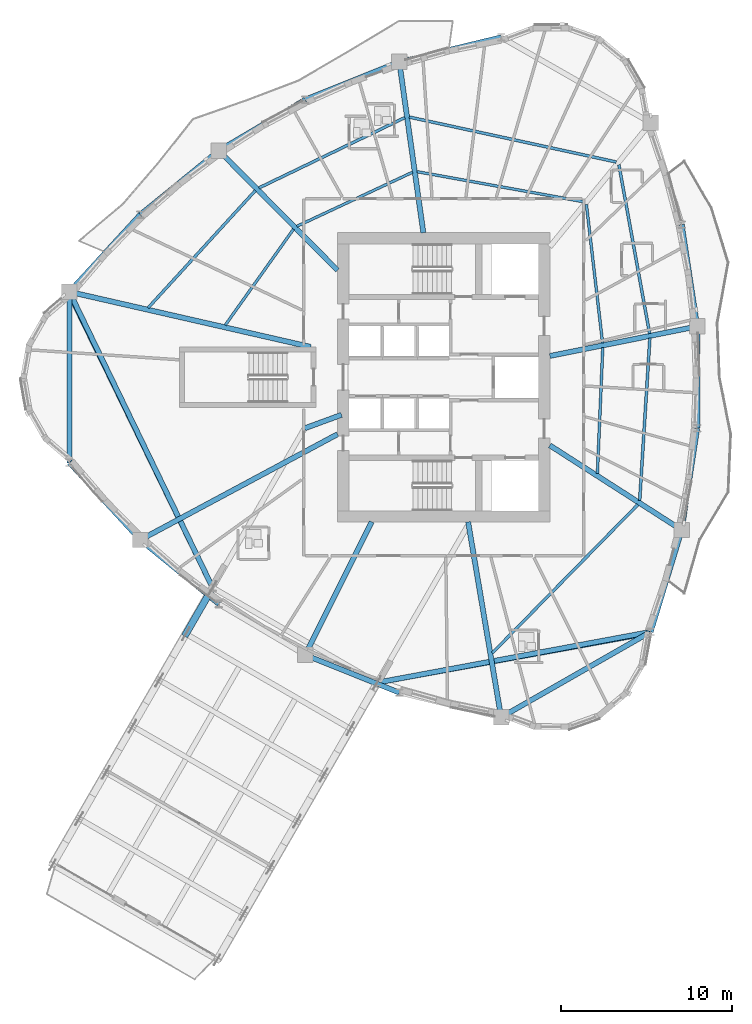
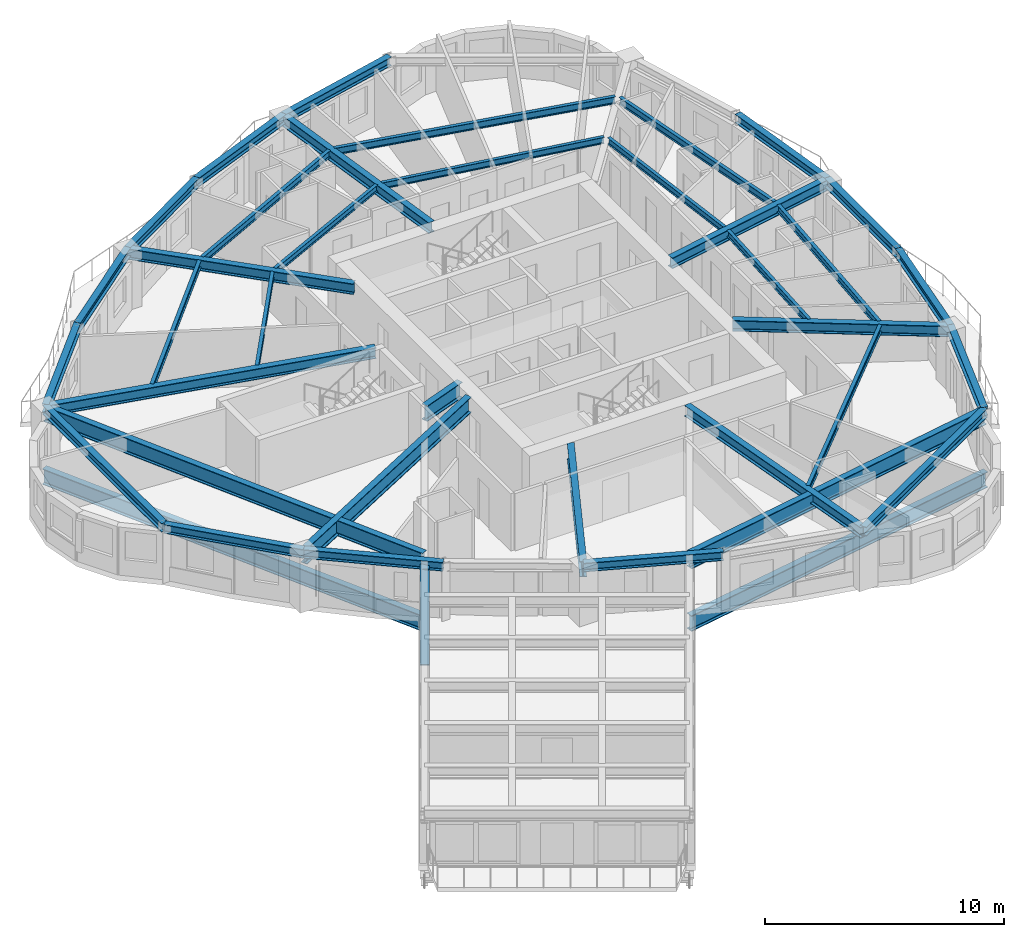
# One storey, part 3 of 17: 38 beams, 1 member.
"""IFC4 building model written with IfcOpenShell, lengths in metres."""

import ifcopenshell
import ifcopenshell.guid

model = None  # the IFC model being written
_history = None  # IfcOwnerHistory: only IFC2X3 demands one
_inside = {}  # id of a spatial element -> (the spatial element, [elements in it])
_under = {}  # id of a project, library or spatial element -> (it, [spatial elements below it])
_declared = {}  # id of a project -> (the project, [libraries it declares])
_typed = {}  # id of a type object -> (the type object, [elements of that type])
_made_of = {}  # id of a material, layer set ... -> (it, [elements and type objects made of it])


def new_model(schema):
    """Start an empty IFC model of exactly this schema.

    Asked for "IFC4X3", IfcOpenShell would pick the latest addendum, in which some entities
    have other attributes; the version numbers below select the first issue.
    IFC2X3 requires an IfcOwnerHistory on every rooted entity: one is made here for all.
    """
    global model, _history
    if schema == "IFC4X3":
        model = ifcopenshell.file(schema_version=(4, 3, 0, 0))
    else:
        model = ifcopenshell.file(schema=schema)
    _inside.clear()
    _under.clear()
    _declared.clear()
    _typed.clear()
    _made_of.clear()
    _history = None
    if model.schema == "IFC2X3":
        org = make("IfcOrganization", Name="unknown")
        user = make(
            "IfcPersonAndOrganization",
            ThePerson=make("IfcPerson", FamilyName="unknown"),
            TheOrganization=org,
        )
        app = make(
            "IfcApplication",
            ApplicationDeveloper=org,
            Version="unknown",
            ApplicationFullName="unknown",
            ApplicationIdentifier="unknown",
        )
        _history = make(
            "IfcOwnerHistory",
            OwningUser=user,
            OwningApplication=app,
            ChangeAction="ADDED",
            CreationDate=0,
        )
    return model


def make(cls, **values):
    """One entity of the class cls with the attributes given. An attribute that is None is left unset."""
    return model.create_entity(
        cls, **{name: value for name, value in values.items() if value is not None}
    )


def rooted(cls, **values):
    """An entity with a GlobalId (a new one), such as an element, a storey or a relation."""
    return make(cls, GlobalId=ifcopenshell.guid.new(), OwnerHistory=_history, **values)


def si_unit(unit_type, name, prefix=None):
    """IfcSIUnit, for example si_unit("LENGTHUNIT", "METRE", prefix="MILLI")."""
    return make("IfcSIUnit", UnitType=unit_type, Prefix=prefix, Name=name)


def assignment(units):
    """IfcUnitAssignment: the units of a project."""
    return None if units is None else make("IfcUnitAssignment", Units=units)


def point(xyz):
    """IfcCartesianPoint."""
    return None if xyz is None else make("IfcCartesianPoint", Coordinates=xyz)


def direction(xyz):
    """IfcDirection."""
    return None if xyz is None else make("IfcDirection", DirectionRatios=xyz)


def frame(location, z_axis=None, x_axis=None):
    """IfcAxis2Placement3D, a coordinate frame: its origin and axes. An axis left out is left unset."""
    return make(
        "IfcAxis2Placement3D",
        Location=point(location),
        Axis=direction(z_axis),
        RefDirection=direction(x_axis),
    )


def frame_2d(location, x_axis=None):
    """IfcAxis2Placement2D, a coordinate frame in the plane: its origin and x axis."""
    return make(
        "IfcAxis2Placement2D", Location=point(location), RefDirection=direction(x_axis)
    )


def origin():
    """The frame at (0, 0, 0) with its axes left unset."""
    return frame((0.0, 0.0, 0.0))


def origin_2d():
    """The frame at (0, 0) in the plane with its x axis left unset."""
    return frame_2d((0.0, 0.0))


def place(relative_to, where):
    """IfcLocalPlacement: puts the frame where relative to a parent placement (None: the world)."""
    return make(
        "IfcLocalPlacement", PlacementRelTo=relative_to, RelativePlacement=where
    )


def context(
    kind, dimensions, precision=None, world=None, true_north=None, identifier=None
):
    """IfcGeometricRepresentationContext, for example the 3D "Model" context."""
    return make(
        "IfcGeometricRepresentationContext",
        ContextIdentifier=identifier,
        ContextType=kind,
        CoordinateSpaceDimension=dimensions,
        Precision=precision,
        WorldCoordinateSystem=world,
        TrueNorth=true_north,
    )


def subcontext(parent, identifier, kind, view, scale=None):
    """IfcGeometricRepresentationSubContext, for example "Body" below "Model"."""
    return make(
        "IfcGeometricRepresentationSubContext",
        ContextIdentifier=identifier,
        ContextType=kind,
        ParentContext=parent,
        TargetScale=scale,
        TargetView=view,
    )


def project(units=None, contexts=None):
    """IfcProject with its units and contexts."""
    return rooted(
        "IfcProject",
        Name="project",
        RepresentationContexts=contexts,
        UnitsInContext=assignment(units),
    )


def spatial(cls, under=None, at=None, **own):
    """A site, building, storey or space (cls), placed at a placement, below another one or the project."""
    s = rooted(cls, ObjectPlacement=at, **own)
    if under is not None:
        _under.setdefault(under.id(), (under, []))[1].append(s)
    return s


def profile(cls, at=None, kind="AREA", **sizes):
    """A parametric profile (cls). Its sizes go by their IFC names, for example OverallWidth=200.0."""
    return make(cls, ProfileType=kind, Position=at, **sizes)


def i_section(**sizes):
    """IfcIShapeProfileDef."""
    return profile("IfcIShapeProfileDef", **sizes)


def extrude(swept, where, along, depth):
    """IfcExtrudedAreaSolid: the profile swept, set in the frame where, extruded along a direction by depth."""
    return make(
        "IfcExtrudedAreaSolid",
        SweptArea=swept,
        Position=where,
        ExtrudedDirection=direction(along),
        Depth=depth,
    )


def shape(context_of_items, identifier, shape_type, items):
    """IfcShapeRepresentation: the items that make up one representation, for example the "Body"."""
    return make(
        "IfcShapeRepresentation",
        ContextOfItems=context_of_items,
        RepresentationIdentifier=identifier,
        RepresentationType=shape_type,
        Items=items,
    )


def source(mapping_origin, context_of_items, identifier, shape_type, items):
    """IfcRepresentationMap: a shape defined once, which mapped items show again and again."""
    return make(
        "IfcRepresentationMap",
        MappingOrigin=mapping_origin,
        MappedRepresentation=shape(context_of_items, identifier, shape_type, items),
    )


def transform(
    local_origin,
    x_axis=None,
    y_axis=None,
    z_axis=None,
    scale=None,
    scale2=None,
    scale3=None,
    uniform=True,
):
    """IfcCartesianTransformationOperator3D, or its non-uniform kind. x_axis, y_axis, z_axis: its Axis1, 2, 3."""
    if uniform:
        return make(
            "IfcCartesianTransformationOperator3D",
            Axis1=direction(x_axis),
            Axis2=direction(y_axis),
            LocalOrigin=point(local_origin),
            Scale=scale,
            Axis3=direction(z_axis),
        )
    return make(
        "IfcCartesianTransformationOperator3DnonUniform",
        Axis1=direction(x_axis),
        Axis2=direction(y_axis),
        LocalOrigin=point(local_origin),
        Scale=scale,
        Axis3=direction(z_axis),
        Scale2=scale2,
        Scale3=scale3,
    )


def mapped(mapping_source, mapping_target):
    """IfcMappedItem: shows the shape of a source again, moved by a transform."""
    return make(
        "IfcMappedItem", MappingSource=mapping_source, MappingTarget=mapping_target
    )


def material(Name=None, Category=None):
    """IfcMaterial."""
    return make("IfcMaterial", Name=Name, Category=Category)


def material_profile(
    of_material, cross_section, Name=None, Category=None, Priority=None
):
    """IfcMaterialProfile: a cross section and its material."""
    return make(
        "IfcMaterialProfile",
        Name=Name,
        Material=of_material,
        Profile=cross_section,
        Priority=Priority,
        Category=Category,
    )


def profile_set(profiles, Name=None, composite=None):
    """IfcMaterialProfileSet."""
    return make(
        "IfcMaterialProfileSet",
        Name=Name,
        MaterialProfiles=profiles,
        CompositeProfile=composite,
    )


def made_of(thing, what):
    """Note that an element or type object is made of a material, layer set ...; save() writes the relation."""
    if what is not None:
        _made_of.setdefault(what.id(), (what, []))[1].append(thing)
    return thing


def type_object(cls, material=None, **own):
    """A type object (cls), such as IfcWallType, which elements share."""
    return made_of(rooted(cls, **own), material)


def element(
    cls,
    number,
    at=None,
    inside=None,
    cuts=None,
    type_object=None,
    material=None,
    context=None,
    identifier="Body",
    shape_type=None,
    held_by="IfcProductDefinitionShape",
    body=None,
    shapes=None,
    **own,
):
    """One element of the class cls, such as IfcWall. Its Tag is "e" and its number.

    at: its placement. inside: the storey or other place that contains it. cuts: it is an
    opening in that element (IfcRelVoidsElement). A single representation is given by context,
    identifier, shape_type and body (its items); several are given by shapes. held_by: the class
    of the entity that holds the representations. save() writes the other relations.
    """
    e = rooted(cls, Tag="e%d" % number, ObjectPlacement=at, **own)
    if body is not None:
        shapes = [shape(context, identifier, shape_type, body)]
    if shapes is not None:
        e.Representation = make(held_by, Representations=shapes)
    if inside is not None:
        _inside.setdefault(inside.id(), (inside, []))[1].append(e)
    if cuts is not None:
        rooted(
            "IfcRelVoidsElement", RelatingBuildingElement=cuts, RelatedOpeningElement=e
        )
    if type_object is not None:
        _typed.setdefault(type_object.id(), (type_object, []))[1].append(e)
    return made_of(e, material)


def aggregate(whole, parts):
    """IfcRelAggregates: a whole, such as a stair, and the parts it consists of."""
    return rooted("IfcRelAggregates", RelatingObject=whole, RelatedObjects=parts)


def save(model, path):
    """Write the relations noted so far, then the file.

    IfcRelAggregates (storeys below a building ...), IfcRelContainedInSpatialStructure (elements
    in a storey), IfcRelDefinesByType, IfcRelAssociatesMaterial and IfcRelDeclares: one each for
    every whole, place, type object, material and project.
    """
    for whole, parts in _under.values():
        aggregate(whole, parts)
    for where, things in _inside.values():
        rooted(
            "IfcRelContainedInSpatialStructure",
            RelatedElements=things,
            RelatingStructure=where,
        )
    for kind, things in _typed.values():
        rooted("IfcRelDefinesByType", RelatedObjects=things, RelatingType=kind)
    for what, things in _made_of.values():
        rooted("IfcRelAssociatesMaterial", RelatedObjects=things, RelatingMaterial=what)
    for by, libraries in _declared.values():
        rooted("IfcRelDeclares", RelatingContext=by, RelatedDefinitions=libraries)
    model.write(path)


model = new_model("IFC4")

# Units and contexts
model_context = context("Model", 3, precision=1e-05, world=origin(), true_north=direction((0.0, 1.0)))
body_context = subcontext(model_context, "Body", "Model", "MODEL_VIEW")
ifc_project = project(units=[si_unit("LENGTHUNIT", "METRE"), si_unit("AREAUNIT", "SQUARE_METRE"), si_unit("VOLUMEUNIT", "CUBIC_METRE"), si_unit("PLANEANGLEUNIT", "RADIAN"), si_unit("MASSUNIT", "GRAM", prefix="KILO")], contexts=[model_context])

# Site, building, storey
site_placement = place(None, origin())
site = spatial("IfcSite", under=ifc_project, at=site_placement, CompositionType="ELEMENT")
building_placement = place(site_placement, origin())
building = spatial("IfcBuilding", under=site, at=building_placement, Name="Qafzar Sky-Pleat Residences", CompositionType="ELEMENT")
storey_placement = place(building_placement, frame((0.0, 0.0, 108.800048828125)))
storey = spatial("IfcBuildingStorey", under=building, at=storey_placement, Name="L32", CompositionType="ELEMENT", Elevation=108.800048828125)

# Beams
ifc_material_1 = material(Name="Steel S355", Category="steel")
ifc_material_profile_1 = material_profile(ifc_material_1, i_section(OverallWidth=0.300048828125, OverallDepth=0.449951171875, WebThickness=0.013916015625, FlangeThickness=0.02587890625, FilletRadius=0.027099609375, at=origin_2d()), Name="HEB 450")
ifc_profile_set_1 = profile_set([ifc_material_profile_1], Name="Steel S355")
beam_type_1 = type_object("IfcBeamType", Name="BM-SPAN-HEB450", PredefinedType="SPANDREL", material=ifc_profile_set_1)
shared_shape_1 = source(origin(), body_context, "Body", "SweptSolid", [
    extrude(i_section(OverallWidth=0.300048828125, OverallDepth=0.449951171875, WebThickness=0.013916015625, FlangeThickness=0.02587890625, FilletRadius=0.027099609375, at=origin_2d()), origin(), (0.0, 0.0, 1.0), 10.072021484375),
])
beam_1_placement = place(storey_placement, frame((33.704345703125, 6.12841796875, 2.7080078125), z_axis=(0.868302801994, 0.496034519011, 0.0), x_axis=(-0.496034519011, 0.868302801994, 0.0)))
element("IfcBeam", 1, at=beam_1_placement, inside=storey, type_object=beam_type_1, Name="L32 Perimeter Spandrel Beam 7", PredefinedType="SPANDREL", context=body_context, shape_type="MappedRepresentation", body=[
    mapped(shared_shape_1, transform((0.0, 0.0, 0.0), x_axis=(1.0, 0.0, 0.0), y_axis=(0.0, 1.0, 0.0), z_axis=(0.0, 0.0, 1.0), scale=1.0)),
])
shared_shape_2 = source(origin(), body_context, "Body", "SweptSolid", [
    extrude(i_section(OverallWidth=0.300048828125, OverallDepth=0.449951171875, WebThickness=0.013916015625, FlangeThickness=0.02587890625, FilletRadius=0.027099609375, at=origin_2d()), origin(), (0.0, 0.0, 1.0), 9.99267578125),
])
beam_2_placement = place(storey_placement, frame((8.47412109375, 30.996337890625, 2.7080078125), z_axis=(0.0, -1.0, 0.0), x_axis=(1.0, 0.0, 0.0)))
element("IfcBeam", 2, at=beam_2_placement, inside=storey, type_object=beam_type_1, Name="L32 Perimeter Spandrel Beam 1", PredefinedType="SPANDREL", context=body_context, shape_type="MappedRepresentation", body=[
    mapped(shared_shape_2, transform((0.0, 0.0, 0.0), x_axis=(1.0, 0.0, 0.0), y_axis=(0.0, 1.0, 0.0), z_axis=(0.0, 0.0, 1.0), scale=1.0)),
])
shared_shape_3 = source(origin(), body_context, "Body", "SweptSolid", [
    extrude(i_section(OverallWidth=0.300048828125, OverallDepth=0.449951171875, WebThickness=0.013916015625, FlangeThickness=0.02587890625, FilletRadius=0.027099609375, at=origin_2d()), origin(), (0.0, 0.0, 1.0), 6.12255859375),
])
for number, where, z_axis, x_axis, name in (
    (3, (8.47412109375, 21.003662109375, 2.7080078125), (0.676462829948, -0.736476774718, 0.0), (0.736476774718, 0.676462829948, 0.0), "L32 Perimeter Spandrel Beam 2"),
    (4, (12.61572265625, 35.50537109375, 2.7080078125), (-0.676462829948, -0.736476774718, 0.0), (0.736476774718, -0.676462829948, 0.0), "L32 Perimeter Spandrel Beam 18"),
):
    element("IfcBeam", number, at=place(storey_placement, frame(where, z_axis=z_axis, x_axis=x_axis)), inside=storey, type_object=beam_type_1, Name=name, PredefinedType="SPANDREL", context=body_context, shape_type="MappedRepresentation", body=[
        mapped(shared_shape_3, transform((0.0, 0.0, 0.0), x_axis=(1.0, 0.0, 0.0), y_axis=(0.0, 1.0, 0.0), z_axis=(0.0, 0.0, 1.0), scale=1.0)),
    ])
shared_shape_4 = source(origin(), body_context, "Body", "SweptSolid", [
    extrude(i_section(OverallWidth=0.300048828125, OverallDepth=0.449951171875, WebThickness=0.013916015625, FlangeThickness=0.02587890625, FilletRadius=0.027099609375, at=origin_2d()), origin(), (0.0, 0.0, 1.0), 5.9248046875),
])
for number, where, z_axis, x_axis, name in (
    (5, (12.61572265625, 16.49462890625, 2.7080078125), (0.775326900383, -0.631560129792, 0.0), (0.631560129792, 0.775326900383, 0.0), "L32 Perimeter Spandrel Beam 3"),
    (6, (17.20947265625, 39.247314453125, 2.7080078125), (-0.775326900383, -0.631560129792, 0.0), (0.631560129792, -0.775326900383, 0.0), "L32 Perimeter Spandrel Beam 17"),
):
    element("IfcBeam", number, at=place(storey_placement, frame(where, z_axis=z_axis, x_axis=x_axis)), inside=storey, type_object=beam_type_1, Name=name, PredefinedType="SPANDREL", context=body_context, shape_type="MappedRepresentation", body=[
        mapped(shared_shape_4, transform((0.0, 0.0, 0.0), x_axis=(1.0, 0.0, 0.0), y_axis=(0.0, 1.0, 0.0), z_axis=(0.0, 0.0, 1.0), scale=1.0)),
    ])
shared_shape_5 = source(origin(), body_context, "Body", "SweptSolid", [
    extrude(i_section(OverallWidth=0.300048828125, OverallDepth=0.449951171875, WebThickness=0.013916015625, FlangeThickness=0.02587890625, FilletRadius=0.027099609375, at=origin_2d()), origin(), (0.0, 0.0, 1.0), 5.85791015625),
])
beam_3_placement = place(storey_placement, frame((22.255615234375, 42.222412109375, 2.7080078125), z_axis=(-0.861428087591, -0.507879562406, 0.0), x_axis=(0.507879562406, -0.861428087591, 0.0)))
element("IfcBeam", 7, at=beam_3_placement, inside=storey, type_object=beam_type_1, Name="L32 Perimeter Spandrel Beam 16", PredefinedType="SPANDREL", context=body_context, shape_type="MappedRepresentation", body=[
    mapped(shared_shape_5, transform((0.0, 0.0, 0.0), x_axis=(1.0, 0.0, 0.0), y_axis=(0.0, 1.0, 0.0), z_axis=(0.0, 0.0, 1.0), scale=1.0)),
])
shared_shape_6 = source(origin(), body_context, "Body", "SweptSolid", [
    extrude(i_section(OverallWidth=0.300048828125, OverallDepth=0.449951171875, WebThickness=0.013916015625, FlangeThickness=0.02587890625, FilletRadius=0.027099609375, at=origin_2d()), origin(), (0.0, 0.0, 1.0), 5.925048828125),
])
for number, where, z_axis, x_axis, name in (
    (8, (22.255615234375, 9.777587890625, 2.7080078125), (0.927955757549, -0.372690370189, 0.0), (0.372690370189, 0.927955757549, 0.0), "L32 Perimeter Spandrel Beam 5"),
    (9, (27.75390625, 44.4306640625, 2.7080078125), (-0.927955757549, -0.372690370189, 0.0), (0.372690370189, -0.927955757549, 0.0), "L32 Perimeter Spandrel Beam 15"),
):
    element("IfcBeam", number, at=place(storey_placement, frame(where, z_axis=z_axis, x_axis=x_axis)), inside=storey, type_object=beam_type_1, Name=name, PredefinedType="SPANDREL", context=body_context, shape_type="MappedRepresentation", body=[
        mapped(shared_shape_6, transform((0.0, 0.0, 0.0), x_axis=(1.0, 0.0, 0.0), y_axis=(0.0, 1.0, 0.0), z_axis=(0.0, 0.0, 1.0), scale=1.0)),
    ])
shared_shape_7 = source(origin(), body_context, "Body", "SweptSolid", [
    extrude(i_section(OverallWidth=0.300048828125, OverallDepth=0.449951171875, WebThickness=0.013916015625, FlangeThickness=0.02587890625, FilletRadius=0.027099609375, at=origin_2d()), origin(), (0.0, 0.0, 1.0), 6.122314453125),
])
beam_4_placement = place(storey_placement, frame((33.704345703125, 45.87158203125, 2.7080078125), z_axis=(-0.971910390101, -0.235351213325, 0.0), x_axis=(0.235351213325, -0.971910390101, 0.0)))
element("IfcBeam", 10, at=beam_4_placement, inside=storey, type_object=beam_type_1, Name="L32 Perimeter Spandrel Beam 14", PredefinedType="SPANDREL", context=body_context, shape_type="MappedRepresentation", body=[
    mapped(shared_shape_7, transform((0.0, 0.0, 0.0), x_axis=(1.0, 0.0, 0.0), y_axis=(0.0, 1.0, 0.0), z_axis=(0.0, 0.0, 1.0), scale=1.0)),
])
shared_shape_8 = source(origin(), body_context, "Body", "SweptSolid", [
    extrude(i_section(OverallWidth=0.300048828125, OverallDepth=0.449951171875, WebThickness=0.013916015625, FlangeThickness=0.02587890625, FilletRadius=0.027099609375, at=origin_2d()), origin(), (0.0, 0.0, 1.0), 6.218994140625),
])
beam_5_placement = place(storey_placement, frame((42.449951171875, 11.12451171875, 2.7080078125), z_axis=(0.29085386248, 0.956767490397, 0.0), x_axis=(-0.956767490397, 0.29085386248, 0.0)))
element("IfcBeam", 11, at=beam_5_placement, inside=storey, type_object=beam_type_1, Name="L32 Perimeter Spandrel Beam 8", PredefinedType="SPANDREL", context=body_context, shape_type="MappedRepresentation", body=[
    mapped(shared_shape_8, transform((0.0, 0.0, 0.0), x_axis=(1.0, 0.0, 0.0), y_axis=(0.0, 1.0, 0.0), z_axis=(0.0, 0.0, 1.0), scale=1.0)),
])
shared_shape_9 = source(origin(), body_context, "Body", "SweptSolid", [
    extrude(i_section(OverallWidth=0.300048828125, OverallDepth=0.449951171875, WebThickness=0.013916015625, FlangeThickness=0.02587890625, FilletRadius=0.027099609375, at=origin_2d()), origin(), (0.0, 0.0, 1.0), 6.0185546875),
])
for number, where, z_axis, x_axis, name in (
    (12, (44.2587890625, 17.07470703125, 2.7080078125), (0.150292027839, 0.988641647094, 0.0), (-0.988641647094, 0.150292027839, 0.0), "L32 Perimeter Spandrel Beam 9"),
    (13, (45.163330078125, 28.97509765625, 2.7080078125), (-0.150292027839, 0.988641647094, 0.0), (-0.988641647094, -0.150292027839, 0.0), "L32 Perimeter Spandrel Beam 11"),
):
    element("IfcBeam", number, at=place(storey_placement, frame(where, z_axis=z_axis, x_axis=x_axis)), inside=storey, type_object=beam_type_1, Name=name, PredefinedType="SPANDREL", context=body_context, shape_type="MappedRepresentation", body=[
        mapped(shared_shape_9, transform((0.0, 0.0, 0.0), x_axis=(1.0, 0.0, 0.0), y_axis=(0.0, 1.0, 0.0), z_axis=(0.0, 0.0, 1.0), scale=1.0)),
    ])
shared_shape_10 = source(origin(), body_context, "Body", "SweptSolid", [
    extrude(i_section(OverallWidth=0.300048828125, OverallDepth=0.449951171875, WebThickness=0.013916015625, FlangeThickness=0.02587890625, FilletRadius=0.027099609375, at=origin_2d()), origin(), (0.0, 0.0, 1.0), 5.9501953125),
])
beam_6_placement = place(storey_placement, frame((45.163330078125, 23.02490234375, 2.7080078125), z_axis=(0.0, 1.0, 0.0), x_axis=(-1.0, 0.0, 0.0)))
element("IfcBeam", 14, at=beam_6_placement, inside=storey, type_object=beam_type_1, Name="L32 Perimeter Spandrel Beam 10", PredefinedType="SPANDREL", context=body_context, shape_type="MappedRepresentation", body=[
    mapped(shared_shape_10, transform((0.0, 0.0, 0.0), x_axis=(1.0, 0.0, 0.0), y_axis=(0.0, 1.0, 0.0), z_axis=(0.0, 0.0, 1.0), scale=1.0)),
])
ifc_material_profile_2 = material_profile(ifc_material_1, i_section(OverallWidth=0.300048828125, OverallDepth=0.550048828125, WebThickness=0.014892578125, FlangeThickness=0.029052734375, FilletRadius=0.027099609375, at=origin_2d()), Name="HEB 550")
ifc_profile_set_2 = profile_set([ifc_material_profile_2], Name="Steel S355")
beam_type_2 = type_object("IfcBeamType", Name="BM-GIRD-HEB550", PredefinedType="BEAM", material=ifc_profile_set_2)
shared_shape_11 = source(origin(), body_context, "Body", "SweptSolid", [
    extrude(i_section(OverallWidth=0.300048828125, OverallDepth=0.550048828125, WebThickness=0.014892578125, FlangeThickness=0.029052734375, FilletRadius=0.027099609375, at=origin_2d()), origin(), (0.0, 0.0, 1.0), 14.467529296875),
])
beam_7_placement = place(storey_placement, frame((8.47412109375, 30.996337890625, 2.657958984375), z_axis=(0.974894417423, -0.222667633205, 0.0), x_axis=(0.222667633205, 0.974894417423, 0.0)))
element("IfcBeam", 15, at=beam_7_placement, inside=storey, type_object=beam_type_2, Name="L32 Radial Floor Girder 1", PredefinedType="BEAM", context=body_context, shape_type="MappedRepresentation", body=[
    mapped(shared_shape_11, transform((0.0, 0.0, 0.0), x_axis=(1.0, 0.0, 0.0), y_axis=(0.0, 1.0, 0.0), z_axis=(0.0, 0.0, 1.0), scale=1.0)),
])
ifc_material_2 = material(Name="Steel S460", Category="steel")
ifc_material_profile_3 = material_profile(ifc_material_2, i_section(OverallWidth=0.300048828125, OverallDepth=0.800048828125, WebThickness=0.017578125, FlangeThickness=0.032958984375, FilletRadius=0.030029296875, at=origin_2d()), Name="HEB 800")
ifc_profile_set_3 = profile_set([ifc_material_profile_3], Name="Steel S460")
beam_type_3 = type_object("IfcBeamType", Name="BM-CHORD-HEB800", PredefinedType="BEAM", material=ifc_profile_set_3)
shared_shape_12 = source(origin(), body_context, "Body", "SweptSolid", [
    extrude(i_section(OverallWidth=0.300048828125, OverallDepth=0.800048828125, WebThickness=0.017578125, FlangeThickness=0.032958984375, FilletRadius=0.030029296875, at=origin_2d()), origin(), (0.0, 0.0, 1.0), 13.086669921875),
])
beam_8_placement = place(storey_placement, frame((12.61572265625, 16.49462890625, 2.532958984375), z_axis=(0.881373448835, 0.472420198223, 0.0), x_axis=(-0.472420198223, 0.881373448835, 0.0)))
element("IfcBeam", 16, at=beam_8_placement, inside=storey, type_object=beam_type_3, Name="L32 Radial Floor Girder 3", PredefinedType="BEAM", context=body_context, shape_type="MappedRepresentation", body=[
    mapped(shared_shape_12, transform((0.0, 0.0, 0.0), x_axis=(1.0, 0.0, 0.0), y_axis=(0.0, 1.0, 0.0), z_axis=(0.0, 0.0, 1.0), scale=1.0)),
])
shared_shape_13 = source(origin(), body_context, "Body", "SweptSolid", [
    extrude(i_section(OverallWidth=0.300048828125, OverallDepth=0.800048828125, WebThickness=0.017578125, FlangeThickness=0.032958984375, FilletRadius=0.030029296875, at=origin_2d()), origin(), (0.0, 0.0, 1.0), 8.686279296875),
])
beam_9_placement = place(storey_placement, frame((22.255615234375, 9.777587890625, 2.532958984375), z_axis=(0.446471430543, 0.894797888749, 0.0), x_axis=(-0.894797888749, 0.446471430543, 0.0)))
element("IfcBeam", 17, at=beam_9_placement, inside=storey, type_object=beam_type_3, Name="L32 Radial Floor Girder 5", PredefinedType="BEAM", context=body_context, shape_type="MappedRepresentation", body=[
    mapped(shared_shape_13, transform((0.0, 0.0, 0.0), x_axis=(1.0, 0.0, 0.0), y_axis=(0.0, 1.0, 0.0), z_axis=(0.0, 0.0, 1.0), scale=1.0)),
])
shared_shape_14 = source(origin(), body_context, "Body", "SweptSolid", [
    extrude(i_section(OverallWidth=0.300048828125, OverallDepth=0.550048828125, WebThickness=0.014892578125, FlangeThickness=0.029052734375, FilletRadius=0.027099609375, at=origin_2d()), origin(), (0.0, 0.0, 1.0), 11.583251953125),
])
beam_10_placement = place(storey_placement, frame((33.704345703125, 6.12841796875, 2.657958984375), z_axis=(-0.166445961411, 0.986050577775, 0.0), x_axis=(-0.986050577775, -0.166445961411, 0.0)))
element("IfcBeam", 18, at=beam_10_placement, inside=storey, type_object=beam_type_2, Name="L32 Radial Floor Girder 7", PredefinedType="BEAM", context=body_context, shape_type="MappedRepresentation", body=[
    mapped(shared_shape_14, transform((0.0, 0.0, 0.0), x_axis=(1.0, 0.0, 0.0), y_axis=(0.0, 1.0, 0.0), z_axis=(0.0, 0.0, 1.0), scale=1.0)),
])
shared_shape_15 = source(origin(), body_context, "Body", "SweptSolid", [
    extrude(i_section(OverallWidth=0.300048828125, OverallDepth=0.550048828125, WebThickness=0.014892578125, FlangeThickness=0.029052734375, FilletRadius=0.027099609375, at=origin_2d()), origin(), (0.0, 0.0, 1.0), 9.159423828125),
])
beam_11_placement = place(storey_placement, frame((44.2587890625, 17.07470703125, 2.657958984375), z_axis=(-0.841617276393, 0.540074402352, 0.0), x_axis=(-0.540074402352, -0.841617276393, 0.0)))
element("IfcBeam", 19, at=beam_11_placement, inside=storey, type_object=beam_type_2, Name="L32 Radial Floor Girder 9", PredefinedType="BEAM", context=body_context, shape_type="MappedRepresentation", body=[
    mapped(shared_shape_15, transform((0.0, 0.0, 0.0), x_axis=(1.0, 0.0, 0.0), y_axis=(0.0, 1.0, 0.0), z_axis=(0.0, 0.0, 1.0), scale=1.0)),
])
shared_shape_16 = source(origin(), body_context, "Body", "SweptSolid", [
    extrude(i_section(OverallWidth=0.300048828125, OverallDepth=0.550048828125, WebThickness=0.014892578125, FlangeThickness=0.029052734375, FilletRadius=0.027099609375, at=origin_2d()), origin(), (0.0, 0.0, 1.0), 8.785400390625),
])
beam_12_placement = place(storey_placement, frame((45.163330078125, 28.97509765625, 2.657958984375), z_axis=(-0.980420022931, -0.196917695082, 0.0), x_axis=(0.196917695082, -0.980420022931, 0.0)))
element("IfcBeam", 20, at=beam_12_placement, inside=storey, type_object=beam_type_2, Name="L32 Radial Floor Girder 11", PredefinedType="BEAM", context=body_context, shape_type="MappedRepresentation", body=[
    mapped(shared_shape_16, transform((0.0, 0.0, 0.0), x_axis=(1.0, 0.0, 0.0), y_axis=(0.0, 1.0, 0.0), z_axis=(0.0, 0.0, 1.0), scale=1.0)),
])
shared_shape_17 = source(origin(), body_context, "Body", "SweptSolid", [
    extrude(i_section(OverallWidth=0.300048828125, OverallDepth=0.550048828125, WebThickness=0.014892578125, FlangeThickness=0.029052734375, FilletRadius=0.027099609375, at=origin_2d()), origin(), (0.0, 0.0, 1.0), 10.079345703125),
])
beam_13_placement = place(storey_placement, frame((27.75390625, 44.4306640625, 2.657958984375), z_axis=(0.139471198015, -0.990226128177, 0.0), x_axis=(0.990226128177, 0.139471198015, 0.0)))
element("IfcBeam", 21, at=beam_13_placement, inside=storey, type_object=beam_type_2, Name="L32 Radial Floor Girder 15", PredefinedType="BEAM", context=body_context, shape_type="MappedRepresentation", body=[
    mapped(shared_shape_17, transform((0.0, 0.0, 0.0), x_axis=(1.0, 0.0, 0.0), y_axis=(0.0, 1.0, 0.0), z_axis=(0.0, 0.0, 1.0), scale=1.0)),
])
shared_shape_18 = source(origin(), body_context, "Body", "SweptSolid", [
    extrude(i_section(OverallWidth=0.300048828125, OverallDepth=0.550048828125, WebThickness=0.014892578125, FlangeThickness=0.029052734375, FilletRadius=0.027099609375, at=origin_2d()), origin(), (0.0, 0.0, 1.0), 9.855224609375),
])
beam_14_placement = place(storey_placement, frame((17.20947265625, 39.247314453125, 2.657958984375), z_axis=(0.704239739609, -0.70996224488, 0.0), x_axis=(0.70996224488, 0.704239739609, 0.0)))
element("IfcBeam", 22, at=beam_14_placement, inside=storey, type_object=beam_type_2, Name="L32 Radial Floor Girder 17", PredefinedType="BEAM", context=body_context, shape_type="MappedRepresentation", body=[
    mapped(shared_shape_18, transform((0.0, 0.0, 0.0), x_axis=(1.0, 0.0, 0.0), y_axis=(0.0, 1.0, 0.0), z_axis=(0.0, 0.0, 1.0), scale=1.0)),
])
ifc_material_profile_4 = material_profile(ifc_material_1, i_section(OverallWidth=0.169921875, OverallDepth=0.360107421875, WebThickness=0.008056640625, FlangeThickness=0.0126953125, FilletRadius=0.01806640625, at=origin_2d()), Name="IPE 360")
ifc_profile_set_4 = profile_set([ifc_material_profile_4], Name="Steel S355")
beam_type_4 = type_object("IfcBeamType", Name="BM-JST-IPE360", PredefinedType="JOIST", material=ifc_profile_set_4)
shared_shape_19 = source(origin(), body_context, "Body", "SweptSolid", [
    extrude(i_section(OverallWidth=0.169921875, OverallDepth=0.360107421875, WebThickness=0.008056640625, FlangeThickness=0.0126953125, FilletRadius=0.01806640625, at=origin_2d()), origin(), (0.0, 0.0, 1.0), 12.160888671875),
])
beam_15_placement = place(storey_placement, frame((33.181884765625, 9.879638671875, 2.7529296875), z_axis=(0.700248022954, 0.713899647254, 0.0), x_axis=(-0.713899647254, 0.700248022954, 0.0)))
element("IfcBeam", 23, at=beam_15_placement, inside=storey, type_object=beam_type_4, Name="L32 Outer Secondary Floor Joist 4", PredefinedType="JOIST", context=body_context, shape_type="MappedRepresentation", body=[
    mapped(shared_shape_19, transform((0.0, 0.0, 0.0), x_axis=(1.0, 0.0, 0.0), y_axis=(0.0, 1.0, 0.0), z_axis=(0.0, 0.0, 1.0), scale=1.0)),
])
shared_shape_20 = source(origin(), body_context, "Body", "SweptSolid", [
    extrude(i_section(OverallWidth=0.169921875, OverallDepth=0.360107421875, WebThickness=0.008056640625, FlangeThickness=0.0126953125, FilletRadius=0.01806640625, at=origin_2d()), origin(), (0.0, 0.0, 1.0), 9.51318359375),
])
beam_16_placement = place(storey_placement, frame((41.800537109375, 18.79248046875, 2.7529296875), z_axis=(0.062875168504, 0.998021399162, 0.0), x_axis=(-0.998021399162, 0.062875168504, 0.0)))
element("IfcBeam", 24, at=beam_16_placement, inside=storey, type_object=beam_type_4, Name="L32 Outer Secondary Floor Joist 5", PredefinedType="JOIST", context=body_context, shape_type="MappedRepresentation", body=[
    mapped(shared_shape_20, transform((0.0, 0.0, 0.0), x_axis=(1.0, 0.0, 0.0), y_axis=(0.0, 1.0, 0.0), z_axis=(0.0, 0.0, 1.0), scale=1.0)),
])
shared_shape_21 = source(origin(), body_context, "Body", "SweptSolid", [
    extrude(i_section(OverallWidth=0.169921875, OverallDepth=0.360107421875, WebThickness=0.008056640625, FlangeThickness=0.0126953125, FilletRadius=0.01806640625, at=origin_2d()), origin(), (0.0, 0.0, 1.0), 10.029541015625),
])
beam_17_placement = place(storey_placement, frame((42.3828125, 28.55419921875, 2.7529296875), z_axis=(-0.17913177225, 0.983825090232, 0.0), x_axis=(-0.983825090232, -0.17913177225, 0.0)))
element("IfcBeam", 25, at=beam_17_placement, inside=storey, type_object=beam_type_4, Name="L32 Outer Secondary Floor Joist 6", PredefinedType="JOIST", context=body_context, shape_type="MappedRepresentation", body=[
    mapped(shared_shape_21, transform((0.0, 0.0, 0.0), x_axis=(1.0, 0.0, 0.0), y_axis=(0.0, 1.0, 0.0), z_axis=(0.0, 0.0, 1.0), scale=1.0)),
])
shared_shape_22 = source(origin(), body_context, "Body", "SweptSolid", [
    extrude(i_section(OverallWidth=0.169921875, OverallDepth=0.360107421875, WebThickness=0.008056640625, FlangeThickness=0.0126953125, FilletRadius=0.01806640625, at=origin_2d()), origin(), (0.0, 0.0, 1.0), 12.376220703125),
])
beam_18_placement = place(storey_placement, frame((40.43017578125, 38.5830078125, 2.7529296875), z_axis=(-0.97724325815, 0.212121697145, 0.0), x_axis=(-0.212121697145, -0.97724325815, 0.0)))
element("IfcBeam", 26, at=beam_18_placement, inside=storey, type_object=beam_type_4, Name="L32 Outer Secondary Floor Joist 7", PredefinedType="JOIST", context=body_context, shape_type="MappedRepresentation", body=[
    mapped(shared_shape_22, transform((0.0, 0.0, 0.0), x_axis=(1.0, 0.0, 0.0), y_axis=(0.0, 1.0, 0.0), z_axis=(0.0, 0.0, 1.0), scale=1.0)),
])
shared_shape_23 = source(origin(), body_context, "Body", "SweptSolid", [
    extrude(i_section(OverallWidth=0.169921875, OverallDepth=0.360107421875, WebThickness=0.008056640625, FlangeThickness=0.0126953125, FilletRadius=0.01806640625, at=origin_2d()), origin(), (0.0, 0.0, 1.0), 9.46923828125),
])
beam_19_placement = place(storey_placement, frame((28.08203125, 41.17822265625, 2.7529296875), z_axis=(-0.900825049044, -0.434182255528, 0.0), x_axis=(0.434182255528, -0.900825049044, 0.0)))
element("IfcBeam", 27, at=beam_19_placement, inside=storey, type_object=beam_type_4, Name="L32 Outer Secondary Floor Joist 8", PredefinedType="JOIST", context=body_context, shape_type="MappedRepresentation", body=[
    mapped(shared_shape_23, transform((0.0, 0.0, 0.0), x_axis=(1.0, 0.0, 0.0), y_axis=(0.0, 1.0, 0.0), z_axis=(0.0, 0.0, 1.0), scale=1.0)),
])
shared_shape_24 = source(origin(), body_context, "Body", "SweptSolid", [
    extrude(i_section(OverallWidth=0.169921875, OverallDepth=0.360107421875, WebThickness=0.008056640625, FlangeThickness=0.0126953125, FilletRadius=0.01806640625, at=origin_2d()), origin(), (0.0, 0.0, 1.0), 9.275146484375),
])
beam_20_placement = place(storey_placement, frame((19.33935546875, 36.90869140625, 2.7529296875), z_axis=(-0.67499364596, -0.737823541176, 0.0), x_axis=(0.737823541176, -0.67499364596, 0.0)))
element("IfcBeam", 28, at=beam_20_placement, inside=storey, type_object=beam_type_4, Name="L32 Outer Secondary Floor Joist 9", PredefinedType="JOIST", context=body_context, shape_type="MappedRepresentation", body=[
    mapped(shared_shape_24, transform((0.0, 0.0, 0.0), x_axis=(1.0, 0.0, 0.0), y_axis=(0.0, 1.0, 0.0), z_axis=(0.0, 0.0, 1.0), scale=1.0)),
])
ifc_material_profile_5 = material_profile(ifc_material_1, i_section(OverallWidth=0.159912109375, OverallDepth=0.330078125, WebThickness=0.007568359375, FlangeThickness=0.011474609375, FilletRadius=0.01806640625, at=origin_2d()), Name="IPE 330")
ifc_profile_set_5 = profile_set([ifc_material_profile_5], Name="Steel S355")
beam_type_5 = type_object("IfcBeamType", Name="BM-JST-IPE330", PredefinedType="JOIST", material=ifc_profile_set_5)
shared_shape_25 = source(origin(), body_context, "Body", "SweptSolid", [
    extrude(i_section(OverallWidth=0.159912109375, OverallDepth=0.330078125, WebThickness=0.007568359375, FlangeThickness=0.011474609375, FilletRadius=0.01806640625, at=origin_2d()), origin(), (0.0, 0.0, 1.0), 7.3642578125),
])
beam_21_placement = place(storey_placement, frame((39.3310546875, 20.37548828125, 2.76806640625), z_axis=(0.042633001597, 0.999090800265, 0.0), x_axis=(-0.999090800265, 0.042633001597, 0.0)))
element("IfcBeam", 29, at=beam_21_placement, inside=storey, type_object=beam_type_5, Name="L32 Inner Secondary Floor Joist 5", PredefinedType="JOIST", context=body_context, shape_type="MappedRepresentation", body=[
    mapped(shared_shape_25, transform((0.0, 0.0, 0.0), x_axis=(1.0, 0.0, 0.0), y_axis=(0.0, 1.0, 0.0), z_axis=(0.0, 0.0, 1.0), scale=1.0)),
])
shared_shape_26 = source(origin(), body_context, "Body", "SweptSolid", [
    extrude(i_section(OverallWidth=0.159912109375, OverallDepth=0.330078125, WebThickness=0.007568359375, FlangeThickness=0.011474609375, FilletRadius=0.01806640625, at=origin_2d()), origin(), (0.0, 0.0, 1.0), 8.152099609375),
])
beam_22_placement = place(storey_placement, frame((39.635009765625, 28.002197265625, 2.76806640625), z_axis=(-0.115958503169, 0.993254058911, 0.0), x_axis=(-0.993254058911, -0.115958503169, 0.0)))
element("IfcBeam", 30, at=beam_22_placement, inside=storey, type_object=beam_type_5, Name="L32 Inner Secondary Floor Joist 6", PredefinedType="JOIST", context=body_context, shape_type="MappedRepresentation", body=[
    mapped(shared_shape_26, transform((0.0, 0.0, 0.0), x_axis=(1.0, 0.0, 0.0), y_axis=(0.0, 1.0, 0.0), z_axis=(0.0, 0.0, 1.0), scale=1.0)),
])
shared_shape_27 = source(origin(), body_context, "Body", "SweptSolid", [
    extrude(i_section(OverallWidth=0.159912109375, OverallDepth=0.330078125, WebThickness=0.007568359375, FlangeThickness=0.011474609375, FilletRadius=0.01806640625, at=origin_2d()), origin(), (0.0, 0.0, 1.0), 9.912353515625),
])
beam_23_placement = place(storey_placement, frame((38.541015625, 36.25732421875, 2.76806640625), z_axis=(-0.98407966549, 0.177727915559, 0.0), x_axis=(-0.177727915559, -0.98407966549, 0.0)))
element("IfcBeam", 31, at=beam_23_placement, inside=storey, type_object=beam_type_5, Name="L32 Inner Secondary Floor Joist 7", PredefinedType="JOIST", context=body_context, shape_type="MappedRepresentation", body=[
    mapped(shared_shape_27, transform((0.0, 0.0, 0.0), x_axis=(1.0, 0.0, 0.0), y_axis=(0.0, 1.0, 0.0), z_axis=(0.0, 0.0, 1.0), scale=1.0)),
])
shared_shape_28 = source(origin(), body_context, "Body", "SweptSolid", [
    extrude(i_section(OverallWidth=0.159912109375, OverallDepth=0.330078125, WebThickness=0.007568359375, FlangeThickness=0.011474609375, FilletRadius=0.01806640625, at=origin_2d()), origin(), (0.0, 0.0, 1.0), 7.459716796875),
])
beam_24_placement = place(storey_placement, frame((28.53125, 37.98583984375, 2.76806640625), z_axis=(-0.905880232966, -0.423533946126, 0.0), x_axis=(0.423533946126, -0.905880232966, 0.0)))
element("IfcBeam", 32, at=beam_24_placement, inside=storey, type_object=beam_type_5, Name="L32 Inner Secondary Floor Joist 8", PredefinedType="JOIST", context=body_context, shape_type="MappedRepresentation", body=[
    mapped(shared_shape_28, transform((0.0, 0.0, 0.0), x_axis=(1.0, 0.0, 0.0), y_axis=(0.0, 1.0, 0.0), z_axis=(0.0, 0.0, 1.0), scale=1.0)),
])
shared_shape_29 = source(origin(), body_context, "Body", "SweptSolid", [
    extrude(i_section(OverallWidth=0.159912109375, OverallDepth=0.330078125, WebThickness=0.007568359375, FlangeThickness=0.011474609375, FilletRadius=0.01806640625, at=origin_2d()), origin(), (0.0, 0.0, 1.0), 6.890380859375),
])
beam_25_placement = place(storey_placement, frame((21.5732421875, 34.6591796875, 2.76806640625), z_axis=(-0.579678568702, -0.814845234991, 0.0), x_axis=(0.814845234991, -0.579678568702, 0.0)))
element("IfcBeam", 33, at=beam_25_placement, inside=storey, type_object=beam_type_5, Name="L32 Inner Secondary Floor Joist 9", PredefinedType="JOIST", context=body_context, shape_type="MappedRepresentation", body=[
    mapped(shared_shape_29, transform((0.0, 0.0, 0.0), x_axis=(1.0, 0.0, 0.0), y_axis=(0.0, 1.0, 0.0), z_axis=(0.0, 0.0, 1.0), scale=1.0)),
])
shared_shape_30 = source(origin(), body_context, "Body", "SweptSolid", [
    extrude(i_section(OverallWidth=0.300048828125, OverallDepth=0.800048828125, WebThickness=0.017578125, FlangeThickness=0.032958984375, FilletRadius=0.030029296875, at=origin_2d()), origin(), (0.0, 0.0, 1.0), 2.297119140625),
])
beam_26_placement = place(storey_placement, frame((22.218505859375, 23.015869140625, 2.531005859375), z_axis=(0.938765199412, 0.344557542906, 0.0), x_axis=(-0.344557542906, 0.938765199412, 0.0)))
element("IfcBeam", 34, at=beam_26_placement, inside=storey, type_object=beam_type_3, Name="L32 SB-3 Core Back-Span Tie Girder R", PredefinedType="BEAM", context=body_context, shape_type="MappedRepresentation", body=[
    mapped(shared_shape_30, transform((0.0, 0.0, 0.0), x_axis=(1.0, 0.0, 0.0), y_axis=(0.0, 1.0, 0.0), z_axis=(0.0, 0.0, 1.0), scale=1.0)),
])

# Member
ifc_material_profile_6 = material_profile(ifc_material_2, i_section(OverallWidth=0.40087890625, OverallDepth=0.39892578125, WebThickness=0.02294921875, FlangeThickness=0.035888671875, FilletRadius=0.014892578125, at=origin_2d()), Name="HD 400x314")
ifc_profile_set_6 = profile_set([ifc_material_profile_6], Name="Steel S460")
member_type = type_object("IfcMemberType", Name="MEM-SB-DIAG", PredefinedType="BRACE", material=ifc_profile_set_6)
shared_shape_31 = source(origin(), body_context, "Body", "SweptSolid", [
    extrude(i_section(OverallWidth=0.40087890625, OverallDepth=0.39892578125, WebThickness=0.02294921875, FlangeThickness=0.035888671875, FilletRadius=0.014892578125, at=origin_2d()), origin(), (0.0, 0.0, 1.0), 4.224609375),
])
member_placement = place(storey_placement, frame((16.66357421875, 13.394287109375, 2.532958984375), z_axis=(-0.326454735258, -0.565415671759, -0.757451268371), x_axis=(0.866017547827, -0.500013606671, 0.0)))
element("IfcMember", 35, at=member_placement, inside=storey, type_object=member_type, Name="L32 SB-3 Truss Web Diagonal R1B", PredefinedType="BRACE", context=body_context, shape_type="MappedRepresentation", body=[
    mapped(shared_shape_31, transform((0.0, 0.0, 0.0), x_axis=(1.0, 0.0, 0.0), y_axis=(0.0, 1.0, 0.0), z_axis=(0.0, 0.0, 1.0), scale=1.0)),
])

# Beams
shared_shape_32 = source(origin(), body_context, "Body", "SweptSolid", [
    extrude(i_section(OverallWidth=0.300048828125, OverallDepth=0.800048828125, WebThickness=0.017578125, FlangeThickness=0.032958984375, FilletRadius=0.030029296875, at=origin_2d()), origin(), (0.0, 0.0, 1.0), 16.266845703125),
])
beam_27_placement = place(storey_placement, frame((42.449951171875, 11.12451171875, 2.532958984375), z_axis=(-0.983210668892, -0.182474054532, 0.0), x_axis=(0.182474054532, -0.983210668892, 0.0)))
element("IfcBeam", 36, at=beam_27_placement, inside=storey, type_object=beam_type_3, Name="L32 SB-3 Wing-Belt Top Chord L", PredefinedType="BEAM", context=body_context, shape_type="MappedRepresentation", body=[
    mapped(shared_shape_32, transform((0.0, 0.0, 0.0), x_axis=(1.0, 0.0, 0.0), y_axis=(0.0, 1.0, 0.0), z_axis=(0.0, 0.0, 1.0), scale=1.0)),
])
shared_shape_33 = source(origin(), body_context, "Body", "SweptSolid", [
    extrude(i_section(OverallWidth=0.300048828125, OverallDepth=0.800048828125, WebThickness=0.017578125, FlangeThickness=0.032958984375, FilletRadius=0.030029296875, at=origin_2d()), origin(), (0.0, 0.0, 1.0), 16.28515625),
])
beam_28_placement = place(storey_placement, frame((42.4775390625, 11.07666015625, -0.6669921875), z_axis=(-0.983789215777, -0.179328689623, 0.0), x_axis=(0.179328689623, -0.983789215777, 0.0)))
element("IfcBeam", 37, at=beam_28_placement, inside=storey, type_object=beam_type_3, Name="L32 SB-3 Wing-Belt Bottom Chord L", PredefinedType="BEAM", context=body_context, shape_type="MappedRepresentation", body=[
    mapped(shared_shape_33, transform((0.0, 0.0, 0.0), x_axis=(1.0, 0.0, 0.0), y_axis=(0.0, 1.0, 0.0), z_axis=(0.0, 0.0, 1.0), scale=1.0)),
])
shared_shape_34 = source(origin(), body_context, "Body", "SweptSolid", [
    extrude(i_section(OverallWidth=0.300048828125, OverallDepth=0.800048828125, WebThickness=0.017578125, FlangeThickness=0.032958984375, FilletRadius=0.030029296875, at=origin_2d()), origin(), (0.0, 0.0, 1.0), 19.209228515625),
])
beam_29_placement = place(storey_placement, frame((8.47412109375, 30.996337890625, 2.532958984375), z_axis=(0.435697460099, -0.900093174768, 0.0), x_axis=(0.900093174768, 0.435697460099, 0.0)))
element("IfcBeam", 38, at=beam_29_placement, inside=storey, type_object=beam_type_3, Name="L32 SB-3 Wing-Belt Top Chord R", PredefinedType="BEAM", context=body_context, shape_type="MappedRepresentation", body=[
    mapped(shared_shape_34, transform((0.0, 0.0, 0.0), x_axis=(1.0, 0.0, 0.0), y_axis=(0.0, 1.0, 0.0), z_axis=(0.0, 0.0, 1.0), scale=1.0)),
])
shared_shape_35 = source(origin(), body_context, "Body", "SweptSolid", [
    extrude(i_section(OverallWidth=0.300048828125, OverallDepth=0.800048828125, WebThickness=0.017578125, FlangeThickness=0.032958984375, FilletRadius=0.030029296875, at=origin_2d()), origin(), (0.0, 0.0, 1.0), 19.233154296875),
])
beam_30_placement = place(storey_placement, frame((8.41943359375, 30.996337890625, -0.6669921875), z_axis=(0.437999673673, -0.898975130836, 0.0), x_axis=(0.898975130836, 0.437999673673, 0.0)))
element("IfcBeam", 39, at=beam_30_placement, inside=storey, type_object=beam_type_3, Name="L32 SB-3 Wing-Belt Bottom Chord R", PredefinedType="BEAM", context=body_context, shape_type="MappedRepresentation", body=[
    mapped(shared_shape_35, transform((0.0, 0.0, 0.0), x_axis=(1.0, 0.0, 0.0), y_axis=(0.0, 1.0, 0.0), z_axis=(0.0, 0.0, 1.0), scale=1.0)),
])

save(model, "model.ifc")
